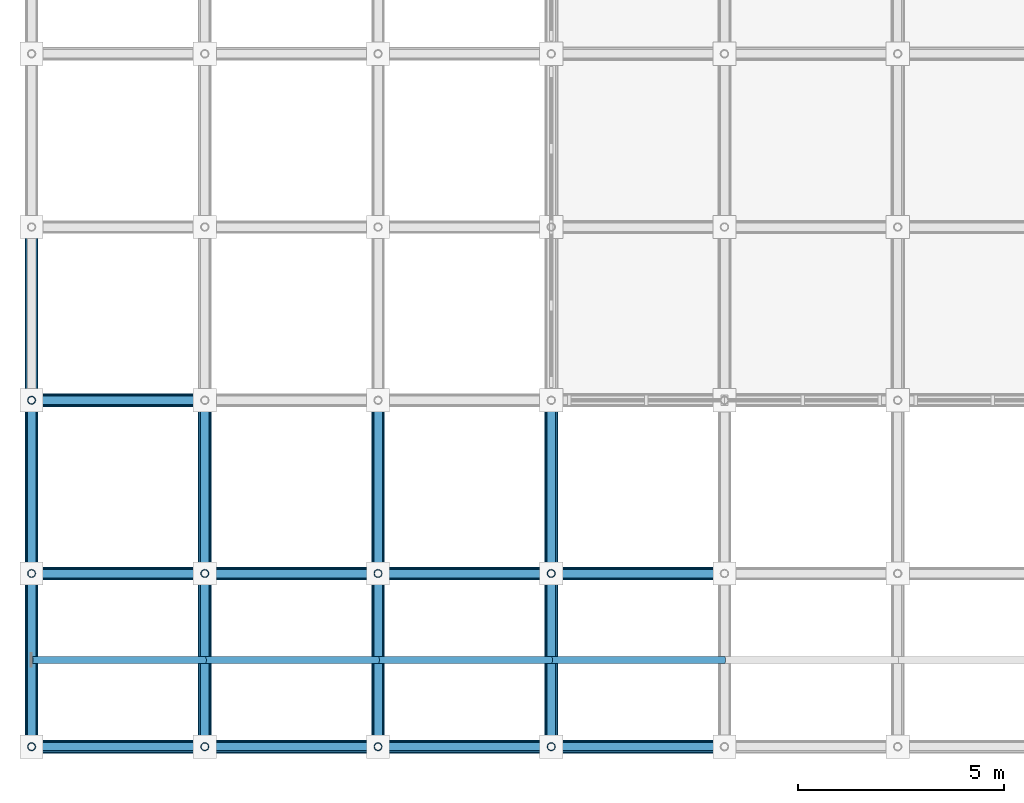
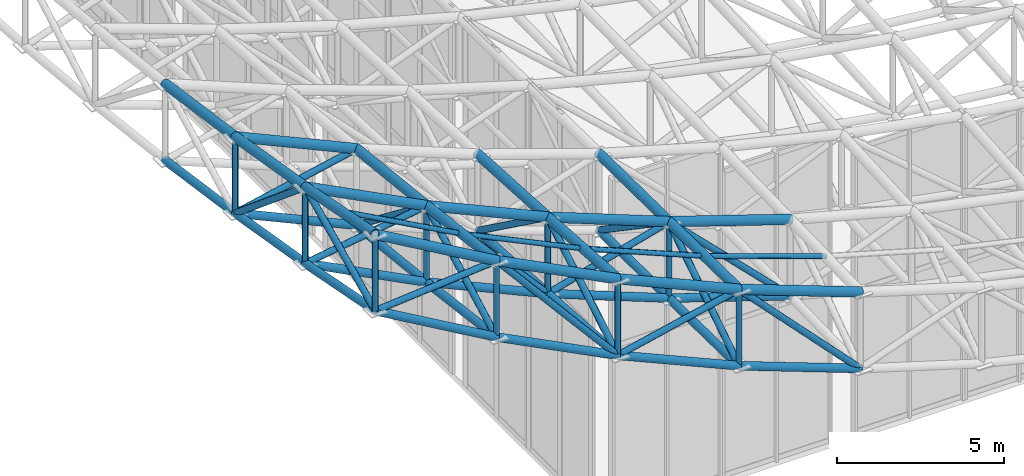
# One storey, part 3 of 93: 66 members.
"""IFC4 building model written with IfcOpenShell, lengths in metres."""

from ifc_helpers import new_model, si_unit, direction, frame, origin, origin_2d, place, context, subcontext, project, spatial, hollow_circle, extrude, material, material_profile, profile_set, type_object, element, save


model = new_model("IFC4")

# Units and contexts
model_context = context("Model", 3, precision=1e-05, world=origin(), true_north=direction((0.0, 1.0)))
body_context = subcontext(model_context, "Body", "Model", "MODEL_VIEW")
ifc_project = project(units=[si_unit("LENGTHUNIT", "METRE"), si_unit("AREAUNIT", "SQUARE_METRE"), si_unit("VOLUMEUNIT", "CUBIC_METRE"), si_unit("PLANEANGLEUNIT", "RADIAN"), si_unit("MASSUNIT", "GRAM", prefix="KILO")], contexts=[model_context])

# Site, building, storey
site_placement = place(None, origin())
site = spatial("IfcSite", under=ifc_project, at=site_placement, CompositionType="ELEMENT")
building_placement = place(site_placement, origin())
building = spatial("IfcBuilding", under=site, at=building_placement, Name="Cumbredor Promenade Congress Hotel", CompositionType="ELEMENT")
storey_placement = place(building_placement, frame((0.0, 0.0, 21.840087890625)))
storey = spatial("IfcBuildingStorey", under=building, at=storey_placement, Name="L06", CompositionType="ELEMENT", Elevation=21.840087890625)

# Members
ifc_material = material(Name="Steel ASTM A500 Grade C", Category="steel")
ifc_material_profile_1 = material_profile(ifc_material, hollow_circle(Radius=0.136474609375, WallThickness=0.01611328125, at=origin_2d()), Name="CHS 273.0x16")
ifc_profile_set_1 = profile_set([ifc_material_profile_1], Name="Steel ASTM A500 Grade C")
member_type_1 = type_object("IfcMemberType", Name="Plenary Roof Space Frame Bottom Chord", PredefinedType="CHORD", material=ifc_profile_set_1)
member_1_placement = place(storey_placement, frame((-4.199951171875, 0.0, 17.099365234375), z_axis=(0.865134625369, 0.0, -0.501539709283), x_axis=(0.0, 1.0, 0.0)))
element("IfcMember", 1, at=member_1_placement, inside=storey, type_object=member_type_1, Name="Plenary Congress Hall X Bottom Chord 1.1", PredefinedType="CHORD", context=body_context, shape_type="SweptSolid", body=[
    extrude(hollow_circle(Radius=0.136474609375, WallThickness=0.01611328125, at=origin_2d()), origin(), (0.0, 0.0, 1.0), 4.854736328125),
])
member_2_placement = place(storey_placement, frame((0.0, 0.0, 14.66455078125), z_axis=(0.891118940449, 0.0, -0.453769802844), x_axis=(0.0, 1.0, 0.0)))
element("IfcMember", 2, at=member_2_placement, inside=storey, type_object=member_type_1, Name="Plenary Congress Hall X Bottom Chord 2.1", PredefinedType="CHORD", context=body_context, shape_type="SweptSolid", body=[
    extrude(hollow_circle(Radius=0.136474609375, WallThickness=0.01611328125, at=origin_2d()), origin(), (0.0, 0.0, 1.0), 4.713134765625),
])
member_3_placement = place(storey_placement, frame((4.199951171875, 0.0, 12.52587890625), z_axis=(0.914850207029, 0.0, -0.403793386152), x_axis=(0.0, 1.0, 0.0)))
element("IfcMember", 3, at=member_3_placement, inside=storey, type_object=member_type_1, Name="Plenary Congress Hall X Bottom Chord 3.1", PredefinedType="CHORD", context=body_context, shape_type="SweptSolid", body=[
    extrude(hollow_circle(Radius=0.136474609375, WallThickness=0.01611328125, at=origin_2d()), origin(), (0.0, 0.0, 1.0), 4.5908203125),
])
member_4_placement = place(storey_placement, frame((8.39990234375, 0.0, 10.672119140625), z_axis=(0.936767035001, 0.0, -0.349953599974), x_axis=(0.0, 1.0, 0.0)))
element("IfcMember", 4, at=member_4_placement, inside=storey, type_object=member_type_1, Name="Plenary Congress Hall X Bottom Chord 4.1", PredefinedType="CHORD", context=body_context, shape_type="SweptSolid", body=[
    extrude(hollow_circle(Radius=0.136474609375, WallThickness=0.01611328125, at=origin_2d()), origin(), (0.0, 0.0, 1.0), 4.483642578125),
])
member_5_placement = place(storey_placement, frame((-4.199951171875, 4.199951171875, 16.285400390625), z_axis=(0.889587462598, 0.0, -0.456764869914), x_axis=(0.0, 1.0, 0.0)))
element("IfcMember", 5, at=member_5_placement, inside=storey, type_object=member_type_1, Name="Plenary Congress Hall X Bottom Chord 1.2", PredefinedType="CHORD", context=body_context, shape_type="SweptSolid", body=[
    extrude(hollow_circle(Radius=0.136474609375, WallThickness=0.01611328125, at=origin_2d()), origin(), (0.0, 0.0, 1.0), 4.72119140625),
])
member_6_placement = place(storey_placement, frame((0.0, 4.199951171875, 14.12890625), z_axis=(0.91202761612, 0.0, -0.410128793716), x_axis=(0.0, 1.0, 0.0)))
element("IfcMember", 6, at=member_6_placement, inside=storey, type_object=member_type_1, Name="Plenary Congress Hall X Bottom Chord 2.2", PredefinedType="CHORD", context=body_context, shape_type="SweptSolid", body=[
    extrude(hollow_circle(Radius=0.136474609375, WallThickness=0.01611328125, at=origin_2d()), origin(), (0.0, 0.0, 1.0), 4.60498046875),
])
member_7_placement = place(storey_placement, frame((4.199951171875, 4.199951171875, 12.240234375), z_axis=(0.931730987888, 0.0, -0.363149234075), x_axis=(0.0, 1.0, 0.0)))
element("IfcMember", 7, at=member_7_placement, inside=storey, type_object=member_type_1, Name="Plenary Congress Hall X Bottom Chord 3.2", PredefinedType="CHORD", context=body_context, shape_type="SweptSolid", body=[
    extrude(hollow_circle(Radius=0.136474609375, WallThickness=0.01611328125, at=origin_2d()), origin(), (0.0, 0.0, 1.0), 4.507568359375),
])
member_8_placement = place(storey_placement, frame((8.39990234375, 4.199951171875, 10.603271484375), z_axis=(0.949666753168, 0.0, -0.313261963743), x_axis=(0.0, 1.0, 0.0)))
element("IfcMember", 8, at=member_8_placement, inside=storey, type_object=member_type_1, Name="Plenary Congress Hall X Bottom Chord 4.2", PredefinedType="CHORD", context=body_context, shape_type="SweptSolid", body=[
    extrude(hollow_circle(Radius=0.136474609375, WallThickness=0.01611328125, at=origin_2d()), origin(), (0.0, 0.0, 1.0), 4.4228515625),
])
member_9_placement = place(storey_placement, frame((-4.199951171875, 8.39990234375, 15.575927734375), z_axis=(0.910496936225, 0.0, -0.413515814842), x_axis=(0.0, 1.0, 0.0)))
element("IfcMember", 9, at=member_9_placement, inside=storey, type_object=member_type_1, Name="Plenary Congress Hall X Bottom Chord 1.3", PredefinedType="CHORD", context=body_context, shape_type="SweptSolid", body=[
    extrude(hollow_circle(Radius=0.136474609375, WallThickness=0.01611328125, at=origin_2d()), origin(), (0.0, 0.0, 1.0), 4.61279296875),
])
member_10_placement = place(storey_placement, frame((-4.199951171875, 0.0, 17.099365234375), z_axis=(0.0, 0.981733113687, -0.190263221591), x_axis=(-1.0, 0.0, 0.0)))
element("IfcMember", 10, at=member_10_placement, inside=storey, type_object=member_type_1, Name="Plenary Congress Hall Y Bottom Chord 1.1", PredefinedType="CHORD", context=body_context, shape_type="SweptSolid", body=[
    extrude(hollow_circle(Radius=0.136474609375, WallThickness=0.01611328125, at=origin_2d()), origin(), (0.0, 0.0, 1.0), 4.278076171875),
])
member_11_placement = place(storey_placement, frame((-4.199951171875, 4.199951171875, 16.285400390625), z_axis=(0.0, 0.986030601948, -0.166564257935), x_axis=(-1.0, 0.0, 0.0)))
element("IfcMember", 11, at=member_11_placement, inside=storey, type_object=member_type_1, Name="Plenary Congress Hall Y Bottom Chord 1.2", PredefinedType="CHORD", context=body_context, shape_type="SweptSolid", body=[
    extrude(hollow_circle(Radius=0.136474609375, WallThickness=0.01611328125, at=origin_2d()), origin(), (0.0, 0.0, 1.0), 4.259521484375),
])
member_12_placement = place(storey_placement, frame((-4.199951171875, 8.39990234375, 15.575927734375), z_axis=(0.0, 0.989655154682, -0.143466633096), x_axis=(-1.0, 0.0, 0.0)))
element("IfcMember", 12, at=member_12_placement, inside=storey, type_object=member_type_1, Name="Plenary Congress Hall Y Bottom Chord 1.3", PredefinedType="CHORD", context=body_context, shape_type="SweptSolid", body=[
    extrude(hollow_circle(Radius=0.136474609375, WallThickness=0.01611328125, at=origin_2d()), origin(), (0.0, 0.0, 1.0), 4.244140625),
])
member_13_placement = place(storey_placement, frame((0.0, 0.0, 14.66455078125), z_axis=(0.0, 0.991965183128, -0.126511167342), x_axis=(-1.0, 0.0, 0.0)))
element("IfcMember", 13, at=member_13_placement, inside=storey, type_object=member_type_1, Name="Plenary Congress Hall Y Bottom Chord 2.1", PredefinedType="CHORD", context=body_context, shape_type="SweptSolid", body=[
    extrude(hollow_circle(Radius=0.136474609375, WallThickness=0.01611328125, at=origin_2d()), origin(), (0.0, 0.0, 1.0), 4.23388671875),
])
member_14_placement = place(storey_placement, frame((0.0, 4.199951171875, 14.12890625), z_axis=(0.0, 0.99404404365, -0.108979077273), x_axis=(-1.0, 0.0, 0.0)))
element("IfcMember", 14, at=member_14_placement, inside=storey, type_object=member_type_1, Name="Plenary Congress Hall Y Bottom Chord 2.2", PredefinedType="CHORD", context=body_context, shape_type="SweptSolid", body=[
    extrude(hollow_circle(Radius=0.136474609375, WallThickness=0.01611328125, at=origin_2d()), origin(), (0.0, 0.0, 1.0), 4.22509765625),
])
member_15_placement = place(storey_placement, frame((4.199951171875, 0.0, 12.52587890625), z_axis=(0.0, 0.997695217775, -0.067854641911), x_axis=(-1.0, 0.0, 0.0)))
element("IfcMember", 15, at=member_15_placement, inside=storey, type_object=member_type_1, Name="Plenary Congress Hall Y Bottom Chord 3.1", PredefinedType="CHORD", context=body_context, shape_type="SweptSolid", body=[
    extrude(hollow_circle(Radius=0.136474609375, WallThickness=0.01611328125, at=origin_2d()), origin(), (0.0, 0.0, 1.0), 4.209716796875),
])
member_16_placement = place(storey_placement, frame((4.199951171875, 4.199951171875, 12.240234375), z_axis=(0.0, 0.99832482726, -0.057857923198), x_axis=(-1.0, 0.0, 0.0)))
element("IfcMember", 16, at=member_16_placement, inside=storey, type_object=member_type_1, Name="Plenary Congress Hall Y Bottom Chord 3.2", PredefinedType="CHORD", context=body_context, shape_type="SweptSolid", body=[
    extrude(hollow_circle(Radius=0.136474609375, WallThickness=0.01611328125, at=origin_2d()), origin(), (0.0, 0.0, 1.0), 4.20703125),
])
member_17_placement = place(storey_placement, frame((8.39990234375, 0.0, 10.672119140625), z_axis=(0.0, 0.999865670213, -0.016390287682), x_axis=(-1.0, 0.0, 0.0)))
element("IfcMember", 17, at=member_17_placement, inside=storey, type_object=member_type_1, Name="Plenary Congress Hall Y Bottom Chord 4.1", PredefinedType="CHORD", context=body_context, shape_type="SweptSolid", body=[
    extrude(hollow_circle(Radius=0.136474609375, WallThickness=0.01611328125, at=origin_2d()), origin(), (0.0, 0.0, 1.0), 4.200439453125),
])
member_18_placement = place(storey_placement, frame((8.39990234375, 4.199951171875, 10.603271484375), z_axis=(0.0, 0.999912952434, -0.013194224275), x_axis=(-1.0, 0.0, 0.0)))
element("IfcMember", 18, at=member_18_placement, inside=storey, type_object=member_type_1, Name="Plenary Congress Hall Y Bottom Chord 4.2", PredefinedType="CHORD", context=body_context, shape_type="SweptSolid", body=[
    extrude(hollow_circle(Radius=0.136474609375, WallThickness=0.01611328125, at=origin_2d()), origin(), (0.0, 0.0, 1.0), 4.2001953125),
])
ifc_material_profile_2 = material_profile(ifc_material, hollow_circle(Radius=0.161865234375, WallThickness=0.01611328125, at=origin_2d()), Name="CHS 323.9x16")
ifc_profile_set_2 = profile_set([ifc_material_profile_2], Name="Steel ASTM A500 Grade C")
member_type_2 = type_object("IfcMemberType", Name="Plenary Roof Space Frame Top Chord", PredefinedType="CHORD", material=ifc_profile_set_2)
member_19_placement = place(storey_placement, frame((-4.199951171875, 0.0, 19.8994140625), z_axis=(0.865134625369, 0.0, -0.501539709283), x_axis=(0.0, 1.0, 0.0)))
element("IfcMember", 19, at=member_19_placement, inside=storey, type_object=member_type_2, Name="Plenary Congress Hall X Top Chord 1.1", PredefinedType="CHORD", context=body_context, shape_type="SweptSolid", body=[
    extrude(hollow_circle(Radius=0.161865234375, WallThickness=0.01611328125, at=origin_2d()), origin(), (0.0, 0.0, 1.0), 4.854736328125),
])
member_20_placement = place(storey_placement, frame((0.0, 0.0, 17.464599609375), z_axis=(0.891118940449, 0.0, -0.453769802844), x_axis=(0.0, 1.0, 0.0)))
element("IfcMember", 20, at=member_20_placement, inside=storey, type_object=member_type_2, Name="Plenary Congress Hall X Top Chord 2.1", PredefinedType="CHORD", context=body_context, shape_type="SweptSolid", body=[
    extrude(hollow_circle(Radius=0.161865234375, WallThickness=0.01611328125, at=origin_2d()), origin(), (0.0, 0.0, 1.0), 4.713134765625),
])
member_21_placement = place(storey_placement, frame((4.199951171875, 0.0, 15.325927734375), z_axis=(0.914850207029, 0.0, -0.403793386152), x_axis=(0.0, 1.0, 0.0)))
element("IfcMember", 21, at=member_21_placement, inside=storey, type_object=member_type_2, Name="Plenary Congress Hall X Top Chord 3.1", PredefinedType="CHORD", context=body_context, shape_type="SweptSolid", body=[
    extrude(hollow_circle(Radius=0.161865234375, WallThickness=0.01611328125, at=origin_2d()), origin(), (0.0, 0.0, 1.0), 4.5908203125),
])
member_22_placement = place(storey_placement, frame((8.39990234375, 0.0, 13.47216796875), z_axis=(0.936767035001, 0.0, -0.349953599974), x_axis=(0.0, 1.0, 0.0)))
element("IfcMember", 22, at=member_22_placement, inside=storey, type_object=member_type_2, Name="Plenary Congress Hall X Top Chord 4.1", PredefinedType="CHORD", context=body_context, shape_type="SweptSolid", body=[
    extrude(hollow_circle(Radius=0.161865234375, WallThickness=0.01611328125, at=origin_2d()), origin(), (0.0, 0.0, 1.0), 4.483642578125),
])
member_23_placement = place(storey_placement, frame((-4.199951171875, 4.199951171875, 19.08544921875), z_axis=(0.88956645023, 0.0, -0.456805790928), x_axis=(0.0, 1.0, 0.0)))
element("IfcMember", 23, at=member_23_placement, inside=storey, type_object=member_type_2, Name="Plenary Congress Hall X Top Chord 1.2", PredefinedType="CHORD", context=body_context, shape_type="SweptSolid", body=[
    extrude(hollow_circle(Radius=0.161865234375, WallThickness=0.01611328125, at=origin_2d()), origin(), (0.0, 0.0, 1.0), 4.721435546875),
])
member_24_placement = place(storey_placement, frame((0.0, 4.199951171875, 16.9287109375), z_axis=(0.912047445911, 0.0, -0.410084694188), x_axis=(0.0, 1.0, 0.0)))
element("IfcMember", 24, at=member_24_placement, inside=storey, type_object=member_type_2, Name="Plenary Congress Hall X Top Chord 2.2", PredefinedType="CHORD", context=body_context, shape_type="SweptSolid", body=[
    extrude(hollow_circle(Radius=0.161865234375, WallThickness=0.01611328125, at=origin_2d()), origin(), (0.0, 0.0, 1.0), 4.60498046875),
])
member_25_placement = place(storey_placement, frame((4.199951171875, 4.199951171875, 15.040283203125), z_axis=(0.931730987888, 0.0, -0.363149234075), x_axis=(0.0, 1.0, 0.0)))
element("IfcMember", 25, at=member_25_placement, inside=storey, type_object=member_type_2, Name="Plenary Congress Hall X Top Chord 3.2", PredefinedType="CHORD", context=body_context, shape_type="SweptSolid", body=[
    extrude(hollow_circle(Radius=0.161865234375, WallThickness=0.01611328125, at=origin_2d()), origin(), (0.0, 0.0, 1.0), 4.507568359375),
])
member_26_placement = place(storey_placement, frame((8.39990234375, 4.199951171875, 13.4033203125), z_axis=(0.949666753168, 0.0, -0.313261963743), x_axis=(0.0, 1.0, 0.0)))
element("IfcMember", 26, at=member_26_placement, inside=storey, type_object=member_type_2, Name="Plenary Congress Hall X Top Chord 4.2", PredefinedType="CHORD", context=body_context, shape_type="SweptSolid", body=[
    extrude(hollow_circle(Radius=0.161865234375, WallThickness=0.01611328125, at=origin_2d()), origin(), (0.0, 0.0, 1.0), 4.4228515625),
])
member_27_placement = place(storey_placement, frame((-4.199951171875, 8.39990234375, 18.375732421875), z_axis=(0.910516862741, 0.0, -0.413471936972), x_axis=(0.0, 1.0, 0.0)))
element("IfcMember", 27, at=member_27_placement, inside=storey, type_object=member_type_2, Name="Plenary Congress Hall X Top Chord 1.3", PredefinedType="CHORD", context=body_context, shape_type="SweptSolid", body=[
    extrude(hollow_circle(Radius=0.161865234375, WallThickness=0.01611328125, at=origin_2d()), origin(), (0.0, 0.0, 1.0), 4.61279296875),
])
member_28_placement = place(storey_placement, frame((-4.199951171875, 0.0, 19.8994140625), z_axis=(0.0, 0.981733113687, -0.190263221591), x_axis=(-1.0, 0.0, 0.0)))
element("IfcMember", 28, at=member_28_placement, inside=storey, type_object=member_type_2, Name="Plenary Congress Hall Y Top Chord 1.1", PredefinedType="CHORD", context=body_context, shape_type="SweptSolid", body=[
    extrude(hollow_circle(Radius=0.161865234375, WallThickness=0.01611328125, at=origin_2d()), origin(), (0.0, 0.0, 1.0), 4.278076171875),
])
member_29_placement = place(storey_placement, frame((-4.199951171875, 4.199951171875, 19.08544921875), z_axis=(0.0, 0.986021186806, -0.166619984308), x_axis=(-1.0, 0.0, 0.0)))
element("IfcMember", 29, at=member_29_placement, inside=storey, type_object=member_type_2, Name="Plenary Congress Hall Y Top Chord 1.2", PredefinedType="CHORD", context=body_context, shape_type="SweptSolid", body=[
    extrude(hollow_circle(Radius=0.161865234375, WallThickness=0.01611328125, at=origin_2d()), origin(), (0.0, 0.0, 1.0), 4.259521484375),
])
member_30_placement = place(storey_placement, frame((-4.199951171875, 8.39990234375, 18.375732421875), z_axis=(0.0, 0.989663320648, -0.143410291698), x_axis=(-1.0, 0.0, 0.0)))
element("IfcMember", 30, at=member_30_placement, inside=storey, type_object=member_type_2, Name="Plenary Congress Hall Y Top Chord 1.3", PredefinedType="CHORD", context=body_context, shape_type="SweptSolid", body=[
    extrude(hollow_circle(Radius=0.161865234375, WallThickness=0.01611328125, at=origin_2d()), origin(), (0.0, 0.0, 1.0), 4.244140625),
])
member_31_placement = place(storey_placement, frame((0.0, 0.0, 17.464599609375), z_axis=(0.0, 0.991957945242, -0.126567906168), x_axis=(-1.0, 0.0, 0.0)))
element("IfcMember", 31, at=member_31_placement, inside=storey, type_object=member_type_2, Name="Plenary Congress Hall Y Top Chord 2.1", PredefinedType="CHORD", context=body_context, shape_type="SweptSolid", body=[
    extrude(hollow_circle(Radius=0.161865234375, WallThickness=0.01611328125, at=origin_2d()), origin(), (0.0, 0.0, 1.0), 4.23388671875),
])
member_32_placement = place(storey_placement, frame((0.0, 4.199951171875, 16.9287109375), z_axis=(0.0, 0.994050301702, -0.108921979812), x_axis=(-1.0, 0.0, 0.0)))
element("IfcMember", 32, at=member_32_placement, inside=storey, type_object=member_type_2, Name="Plenary Congress Hall Y Top Chord 2.2", PredefinedType="CHORD", context=body_context, shape_type="SweptSolid", body=[
    extrude(hollow_circle(Radius=0.161865234375, WallThickness=0.01611328125, at=origin_2d()), origin(), (0.0, 0.0, 1.0), 4.22509765625),
])
member_33_placement = place(storey_placement, frame((4.199951171875, 0.0, 15.325927734375), z_axis=(0.0, 0.997695217775, -0.067854641911), x_axis=(-1.0, 0.0, 0.0)))
element("IfcMember", 33, at=member_33_placement, inside=storey, type_object=member_type_2, Name="Plenary Congress Hall Y Top Chord 3.1", PredefinedType="CHORD", context=body_context, shape_type="SweptSolid", body=[
    extrude(hollow_circle(Radius=0.161865234375, WallThickness=0.01611328125, at=origin_2d()), origin(), (0.0, 0.0, 1.0), 4.209716796875),
])
member_34_placement = place(storey_placement, frame((4.199951171875, 4.199951171875, 15.040283203125), z_axis=(0.0, 0.99832482726, -0.057857923198), x_axis=(-1.0, 0.0, 0.0)))
element("IfcMember", 34, at=member_34_placement, inside=storey, type_object=member_type_2, Name="Plenary Congress Hall Y Top Chord 3.2", PredefinedType="CHORD", context=body_context, shape_type="SweptSolid", body=[
    extrude(hollow_circle(Radius=0.161865234375, WallThickness=0.01611328125, at=origin_2d()), origin(), (0.0, 0.0, 1.0), 4.20703125),
])
member_35_placement = place(storey_placement, frame((8.39990234375, 0.0, 13.47216796875), z_axis=(0.0, 0.999865670213, -0.016390287682), x_axis=(-1.0, 0.0, 0.0)))
element("IfcMember", 35, at=member_35_placement, inside=storey, type_object=member_type_2, Name="Plenary Congress Hall Y Top Chord 4.1", PredefinedType="CHORD", context=body_context, shape_type="SweptSolid", body=[
    extrude(hollow_circle(Radius=0.161865234375, WallThickness=0.01611328125, at=origin_2d()), origin(), (0.0, 0.0, 1.0), 4.200439453125),
])
member_36_placement = place(storey_placement, frame((8.39990234375, 4.199951171875, 13.4033203125), z_axis=(0.0, 0.999912952434, -0.013194224275), x_axis=(-1.0, 0.0, 0.0)))
element("IfcMember", 36, at=member_36_placement, inside=storey, type_object=member_type_2, Name="Plenary Congress Hall Y Top Chord 4.2", PredefinedType="CHORD", context=body_context, shape_type="SweptSolid", body=[
    extrude(hollow_circle(Radius=0.161865234375, WallThickness=0.01611328125, at=origin_2d()), origin(), (0.0, 0.0, 1.0), 4.2001953125),
])
ifc_material_profile_3 = material_profile(ifc_material, hollow_circle(Radius=0.084228515625, WallThickness=0.010009765625, at=origin_2d()), Name="CHS 168.3x10")
ifc_profile_set_3 = profile_set([ifc_material_profile_3], Name="Steel ASTM A500 Grade C")
member_type_3 = type_object("IfcMemberType", Name="Roof Purlin CHS168", PredefinedType="PURLIN", material=ifc_profile_set_3)
member_37_placement = place(storey_placement, frame((-4.199951171875, 2.10009765625, 19.472412109375), z_axis=(0.877476133275, 0.0, -0.479620303504), x_axis=(0.0, 1.0, 0.0)))
element("IfcMember", 37, at=member_37_placement, inside=storey, type_object=member_type_3, Name="Plenary Congress Hall Roof Eave Purlin 1.1", PredefinedType="PURLIN", context=body_context, shape_type="SweptSolid", body=[
    extrude(hollow_circle(Radius=0.084228515625, WallThickness=0.010009765625, at=origin_2d()), origin(), (0.0, 0.0, 1.0), 4.786376953125),
])
member_38_placement = place(storey_placement, frame((0.0, 2.10009765625, 17.1767578125), z_axis=(0.901716001188, 0.0, -0.43232887158), x_axis=(0.0, 1.0, 0.0)))
element("IfcMember", 38, at=member_38_placement, inside=storey, type_object=member_type_3, Name="Plenary Congress Hall Roof Eave Purlin 2.1", PredefinedType="PURLIN", context=body_context, shape_type="SweptSolid", body=[
    extrude(hollow_circle(Radius=0.084228515625, WallThickness=0.010009765625, at=origin_2d()), origin(), (0.0, 0.0, 1.0), 4.65771484375),
])
member_39_placement = place(storey_placement, frame((4.199951171875, 2.10009765625, 15.1630859375), z_axis=(0.923437023383, 0.0, -0.383750001753), x_axis=(0.0, 1.0, 0.0)))
element("IfcMember", 39, at=member_39_placement, inside=storey, type_object=member_type_3, Name="Plenary Congress Hall Roof Eave Purlin 3.1", PredefinedType="PURLIN", context=body_context, shape_type="SweptSolid", body=[
    extrude(hollow_circle(Radius=0.084228515625, WallThickness=0.010009765625, at=origin_2d()), origin(), (0.0, 0.0, 1.0), 4.548095703125),
])
member_40_placement = place(storey_placement, frame((8.39990234375, 2.10009765625, 13.417724609375), z_axis=(0.943351170928, 0.0, -0.331795973918), x_axis=(0.0, 1.0, 0.0)))
element("IfcMember", 40, at=member_40_placement, inside=storey, type_object=member_type_3, Name="Plenary Congress Hall Roof Eave Purlin 4.1", PredefinedType="PURLIN", context=body_context, shape_type="SweptSolid", body=[
    extrude(hollow_circle(Radius=0.084228515625, WallThickness=0.010009765625, at=origin_2d()), origin(), (0.0, 0.0, 1.0), 4.452392578125),
])
ifc_material_profile_4 = material_profile(ifc_material, hollow_circle(Radius=0.109619140625, WallThickness=0.012451171875, at=origin_2d()), Name="CHS 219.1x12.5")
ifc_profile_set_4 = profile_set([ifc_material_profile_4], Name="Steel ASTM A500 Grade C")
member_type_4 = type_object("IfcMemberType", Name="Space Frame Web Diagonal D1", PredefinedType="BRACE", material=ifc_profile_set_4)
member_41_placement = place(storey_placement, frame((-4.199951171875, 0.0, 17.099365234375), z_axis=(0.99624015358, 0.0, 0.086634614297), x_axis=(0.0, 1.0, 0.0)))
element("IfcMember", 41, at=member_41_placement, inside=storey, type_object=member_type_4, Name="Plenary Congress Hall X Web Diagonal 1.1", PredefinedType="BRACE", context=body_context, shape_type="SweptSolid", body=[
    extrude(hollow_circle(Radius=0.109619140625, WallThickness=0.012451171875, at=origin_2d()), origin(), (0.0, 0.0, 1.0), 4.2158203125),
])
member_42_placement = place(storey_placement, frame((0.0, 0.0, 17.464599609375), z_axis=(0.647830952732, 0.0, -0.76178412735), x_axis=(0.0, 1.0, 0.0)))
element("IfcMember", 42, at=member_42_placement, inside=storey, type_object=member_type_4, Name="Plenary Congress Hall X Web Diagonal 2.1", PredefinedType="BRACE", context=body_context, shape_type="SweptSolid", body=[
    extrude(hollow_circle(Radius=0.109619140625, WallThickness=0.012451171875, at=origin_2d()), origin(), (0.0, 0.0, 1.0), 6.483154296875),
])
member_43_placement = place(storey_placement, frame((4.199951171875, 0.0, 12.52587890625), z_axis=(0.975545044553, 0.0, 0.219799604295), x_axis=(0.0, 1.0, 0.0)))
element("IfcMember", 43, at=member_43_placement, inside=storey, type_object=member_type_4, Name="Plenary Congress Hall X Web Diagonal 3.1", PredefinedType="BRACE", context=body_context, shape_type="SweptSolid", body=[
    extrude(hollow_circle(Radius=0.109619140625, WallThickness=0.012451171875, at=origin_2d()), origin(), (0.0, 0.0, 1.0), 4.30517578125),
])
member_44_placement = place(storey_placement, frame((8.39990234375, 0.0, 13.47216796875), z_axis=(0.693031428057, 0.0, -0.720907372501), x_axis=(0.0, 1.0, 0.0)))
element("IfcMember", 44, at=member_44_placement, inside=storey, type_object=member_type_4, Name="Plenary Congress Hall X Web Diagonal 4.1", PredefinedType="BRACE", context=body_context, shape_type="SweptSolid", body=[
    extrude(hollow_circle(Radius=0.109619140625, WallThickness=0.012451171875, at=origin_2d()), origin(), (0.0, 0.0, 1.0), 6.060546875),
])
member_45_placement = place(storey_placement, frame((-4.199951171875, 4.199951171875, 16.285400390625), z_axis=(0.988471787229, 0.0, 0.151405171153), x_axis=(0.0, 1.0, 0.0)))
element("IfcMember", 45, at=member_45_placement, inside=storey, type_object=member_type_4, Name="Plenary Congress Hall X Web Diagonal 1.2", PredefinedType="BRACE", context=body_context, shape_type="SweptSolid", body=[
    extrude(hollow_circle(Radius=0.109619140625, WallThickness=0.012451171875, at=origin_2d()), origin(), (0.0, 0.0, 1.0), 4.2490234375),
])
member_46_placement = place(storey_placement, frame((0.0, 4.199951171875, 16.9287109375), z_axis=(0.667235769504, 0.0, -0.744846580105), x_axis=(0.0, 1.0, 0.0)))
element("IfcMember", 46, at=member_46_placement, inside=storey, type_object=member_type_4, Name="Plenary Congress Hall X Web Diagonal 2.2", PredefinedType="BRACE", context=body_context, shape_type="SweptSolid", body=[
    extrude(hollow_circle(Radius=0.109619140625, WallThickness=0.012451171875, at=origin_2d()), origin(), (0.0, 0.0, 1.0), 6.29443359375),
])
member_47_placement = place(storey_placement, frame((4.199951171875, 4.199951171875, 12.240234375), z_axis=(0.963728691844, 0.0, 0.266883885831), x_axis=(0.0, 1.0, 0.0)))
element("IfcMember", 47, at=member_47_placement, inside=storey, type_object=member_type_4, Name="Plenary Congress Hall X Web Diagonal 3.2", PredefinedType="BRACE", context=body_context, shape_type="SweptSolid", body=[
    extrude(hollow_circle(Radius=0.109619140625, WallThickness=0.012451171875, at=origin_2d()), origin(), (0.0, 0.0, 1.0), 4.35791015625),
])
member_48_placement = place(storey_placement, frame((8.39990234375, 4.199951171875, 13.4033203125), z_axis=(0.708340893404, 0.0, -0.705870511306), x_axis=(0.0, 1.0, 0.0)))
element("IfcMember", 48, at=member_48_placement, inside=storey, type_object=member_type_4, Name="Plenary Congress Hall X Web Diagonal 4.2", PredefinedType="BRACE", context=body_context, shape_type="SweptSolid", body=[
    extrude(hollow_circle(Radius=0.109619140625, WallThickness=0.012451171875, at=origin_2d()), origin(), (0.0, 0.0, 1.0), 5.9296875),
])
member_49_placement = place(storey_placement, frame((-4.199951171875, 8.39990234375, 15.575927734375), z_axis=(0.978154659995, 0.0, 0.207878476832), x_axis=(0.0, 1.0, 0.0)))
element("IfcMember", 49, at=member_49_placement, inside=storey, type_object=member_type_4, Name="Plenary Congress Hall X Web Diagonal 1.3", PredefinedType="BRACE", context=body_context, shape_type="SweptSolid", body=[
    extrude(hollow_circle(Radius=0.109619140625, WallThickness=0.012451171875, at=origin_2d()), origin(), (0.0, 0.0, 1.0), 4.293701171875),
])
member_50_placement = place(storey_placement, frame((-4.199951171875, 0.0, 17.099365234375), z_axis=(0.0, 0.904017991134, 0.427494411316), x_axis=(-1.0, 0.0, 0.0)))
element("IfcMember", 50, at=member_50_placement, inside=storey, type_object=member_type_4, Name="Plenary Congress Hall Y Web Diagonal 1.1", PredefinedType="BRACE", context=body_context, shape_type="SweptSolid", body=[
    extrude(hollow_circle(Radius=0.109619140625, WallThickness=0.012451171875, at=origin_2d()), origin(), (0.0, 0.0, 1.0), 4.645751953125),
])
member_51_placement = place(storey_placement, frame((-4.199951171875, 4.199951171875, 19.08544921875), z_axis=(0.0, 0.767361368874, -0.641214885634), x_axis=(-1.0, 0.0, 0.0)))
element("IfcMember", 51, at=member_51_placement, inside=storey, type_object=member_type_4, Name="Plenary Congress Hall Y Web Diagonal 1.2", PredefinedType="BRACE", context=body_context, shape_type="SweptSolid", body=[
    extrude(hollow_circle(Radius=0.109619140625, WallThickness=0.012451171875, at=origin_2d()), origin(), (0.0, 0.0, 1.0), 5.47314453125),
])
member_52_placement = place(storey_placement, frame((0.0, 0.0, 14.66455078125), z_axis=(0.0, 0.880239331508, 0.474529998279), x_axis=(-1.0, 0.0, 0.0)))
element("IfcMember", 52, at=member_52_placement, inside=storey, type_object=member_type_4, Name="Plenary Congress Hall Y Web Diagonal 2.1", PredefinedType="BRACE", context=body_context, shape_type="SweptSolid", body=[
    extrude(hollow_circle(Radius=0.109619140625, WallThickness=0.012451171875, at=origin_2d()), origin(), (0.0, 0.0, 1.0), 4.771484375),
])
member_53_placement = place(storey_placement, frame((0.0, 4.199951171875, 16.9287109375), z_axis=(0.0, 0.789932907256, -0.61319328277), x_axis=(-1.0, 0.0, 0.0)))
element("IfcMember", 53, at=member_53_placement, inside=storey, type_object=member_type_4, Name="Plenary Congress Hall Y Web Diagonal 2.2", PredefinedType="BRACE", context=body_context, shape_type="SweptSolid", body=[
    extrude(hollow_circle(Radius=0.109619140625, WallThickness=0.012451171875, at=origin_2d()), origin(), (0.0, 0.0, 1.0), 5.31689453125),
])
member_54_placement = place(storey_placement, frame((4.199951171875, 0.0, 12.52587890625), z_axis=(0.0, 0.857994198709, 0.513659376417), x_axis=(-1.0, 0.0, 0.0)))
element("IfcMember", 54, at=member_54_placement, inside=storey, type_object=member_type_4, Name="Plenary Congress Hall Y Web Diagonal 3.1", PredefinedType="BRACE", context=body_context, shape_type="SweptSolid", body=[
    extrude(hollow_circle(Radius=0.109619140625, WallThickness=0.012451171875, at=origin_2d()), origin(), (0.0, 0.0, 1.0), 4.89501953125),
])
member_55_placement = place(storey_placement, frame((4.199951171875, 4.199951171875, 15.040283203125), z_axis=(0.0, 0.809748546254, -0.586777037587), x_axis=(-1.0, 0.0, 0.0)))
element("IfcMember", 55, at=member_55_placement, inside=storey, type_object=member_type_4, Name="Plenary Congress Hall Y Web Diagonal 3.2", PredefinedType="BRACE", context=body_context, shape_type="SweptSolid", body=[
    extrude(hollow_circle(Radius=0.109619140625, WallThickness=0.012451171875, at=origin_2d()), origin(), (0.0, 0.0, 1.0), 5.186767578125),
])
member_56_placement = place(storey_placement, frame((8.39990234375, 0.0, 10.672119140625), z_axis=(0.0, 0.83833114731, 0.545161340752), x_axis=(-1.0, 0.0, 0.0)))
element("IfcMember", 56, at=member_56_placement, inside=storey, type_object=member_type_4, Name="Plenary Congress Hall Y Web Diagonal 4.1", PredefinedType="BRACE", context=body_context, shape_type="SweptSolid", body=[
    extrude(hollow_circle(Radius=0.109619140625, WallThickness=0.012451171875, at=origin_2d()), origin(), (0.0, 0.0, 1.0), 5.010009765625),
])
member_57_placement = place(storey_placement, frame((8.39990234375, 4.199951171875, 13.4033203125), z_axis=(0.0, 0.826972098797, -0.562242961549), x_axis=(-1.0, 0.0, 0.0)))
element("IfcMember", 57, at=member_57_placement, inside=storey, type_object=member_type_4, Name="Plenary Congress Hall Y Web Diagonal 4.2", PredefinedType="BRACE", context=body_context, shape_type="SweptSolid", body=[
    extrude(hollow_circle(Radius=0.109619140625, WallThickness=0.012451171875, at=origin_2d()), origin(), (0.0, 0.0, 1.0), 5.07861328125),
])
ifc_material_profile_5 = material_profile(ifc_material, hollow_circle(Radius=0.096923828125, WallThickness=0.010009765625, at=origin_2d()), Name="CHS 193.7x10")
ifc_profile_set_5 = profile_set([ifc_material_profile_5], Name="Steel ASTM A500 Grade C")
member_type_5 = type_object("IfcMemberType", Name="Space Frame Web Post P1", PredefinedType="BRACE", material=ifc_profile_set_5)
for number, where, z_axis, x_axis, name in (
    (58, (-4.199951171875, 0.0, 17.099365234375), (0.0, 0.0, 1.0), (1.0, 0.0, 0.0), "Plenary Congress Hall Space Frame Web Post 1.1"),
    (59, (-4.199951171875, 4.199951171875, 16.285400390625), (0.0, 0.0, 1.0), (1.0, 0.0, 0.0), "Plenary Congress Hall Space Frame Web Post 1.2"),
):
    element("IfcMember", number, at=place(storey_placement, frame(where, z_axis=z_axis, x_axis=x_axis)), inside=storey, type_object=member_type_5, Name=name, PredefinedType="BRACE", context=body_context, shape_type="SweptSolid", body=[
        extrude(hollow_circle(Radius=0.096923828125, WallThickness=0.010009765625, at=origin_2d()), origin(), (0.0, 0.0, 1.0), 2.800048828125),
    ])
member_58_placement = place(storey_placement, frame((-4.199951171875, 8.39990234375, 15.575927734375), z_axis=(0.0, 0.0, 1.0), x_axis=(1.0, 0.0, 0.0)))
element("IfcMember", 60, at=member_58_placement, inside=storey, type_object=member_type_5, Name="Plenary Congress Hall Space Frame Web Post 1.3", PredefinedType="BRACE", context=body_context, shape_type="SweptSolid", body=[
    extrude(hollow_circle(Radius=0.096923828125, WallThickness=0.010009765625, at=origin_2d()), origin(), (0.0, 0.0, 1.0), 2.7998046875),
])
member_59_placement = place(storey_placement, frame((0.0, 0.0, 14.66455078125), z_axis=(0.0, 0.0, 1.0), x_axis=(1.0, 0.0, 0.0)))
element("IfcMember", 61, at=member_59_placement, inside=storey, type_object=member_type_5, Name="Plenary Congress Hall Space Frame Web Post 2.1", PredefinedType="BRACE", context=body_context, shape_type="SweptSolid", body=[
    extrude(hollow_circle(Radius=0.096923828125, WallThickness=0.010009765625, at=origin_2d()), origin(), (0.0, 0.0, 1.0), 2.800048828125),
])
member_60_placement = place(storey_placement, frame((0.0, 4.199951171875, 14.12890625), z_axis=(0.0, 0.0, 1.0), x_axis=(1.0, 0.0, 0.0)))
element("IfcMember", 62, at=member_60_placement, inside=storey, type_object=member_type_5, Name="Plenary Congress Hall Space Frame Web Post 2.2", PredefinedType="BRACE", context=body_context, shape_type="SweptSolid", body=[
    extrude(hollow_circle(Radius=0.096923828125, WallThickness=0.010009765625, at=origin_2d()), origin(), (0.0, 0.0, 1.0), 2.7998046875),
])
for number, where, z_axis, x_axis, name in (
    (63, (4.199951171875, 0.0, 12.52587890625), (0.0, 0.0, 1.0), (1.0, 0.0, 0.0), "Plenary Congress Hall Space Frame Web Post 3.1"),
    (64, (4.199951171875, 4.199951171875, 12.240234375), (0.0, 0.0, 1.0), (1.0, 0.0, 0.0), "Plenary Congress Hall Space Frame Web Post 3.2"),
    (65, (8.39990234375, 0.0, 10.672119140625), (0.0, 0.0, 1.0), (1.0, 0.0, 0.0), "Plenary Congress Hall Space Frame Web Post 4.1"),
    (66, (8.39990234375, 4.199951171875, 10.603271484375), (0.0, 0.0, 1.0), (1.0, 0.0, 0.0), "Plenary Congress Hall Space Frame Web Post 4.2"),
):
    element("IfcMember", number, at=place(storey_placement, frame(where, z_axis=z_axis, x_axis=x_axis)), inside=storey, type_object=member_type_5, Name=name, PredefinedType="BRACE", context=body_context, shape_type="SweptSolid", body=[
        extrude(hollow_circle(Radius=0.096923828125, WallThickness=0.010009765625, at=origin_2d()), origin(), (0.0, 0.0, 1.0), 2.800048828125),
    ])

save(model, "model.ifc")
